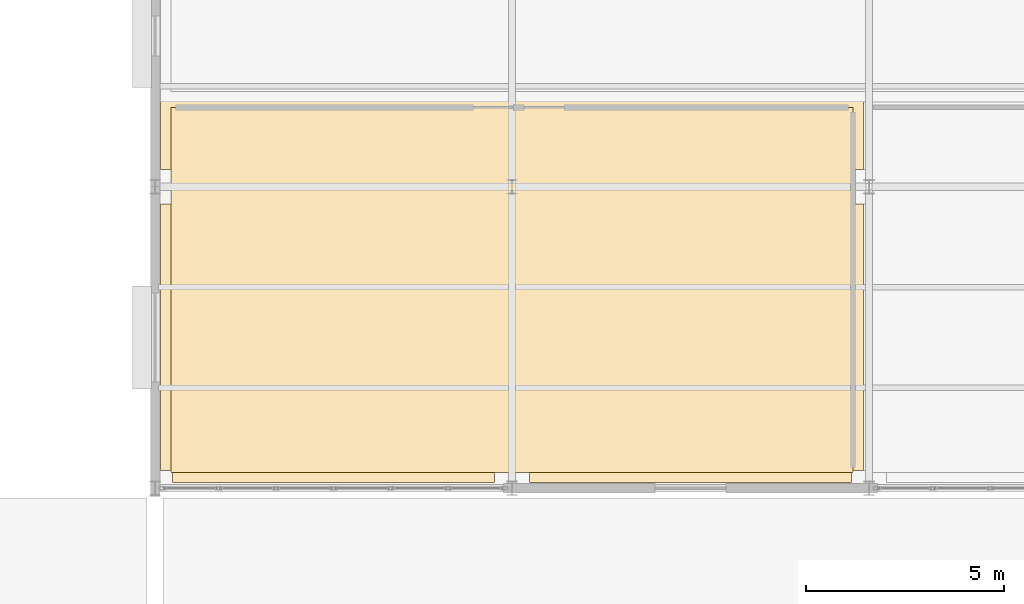
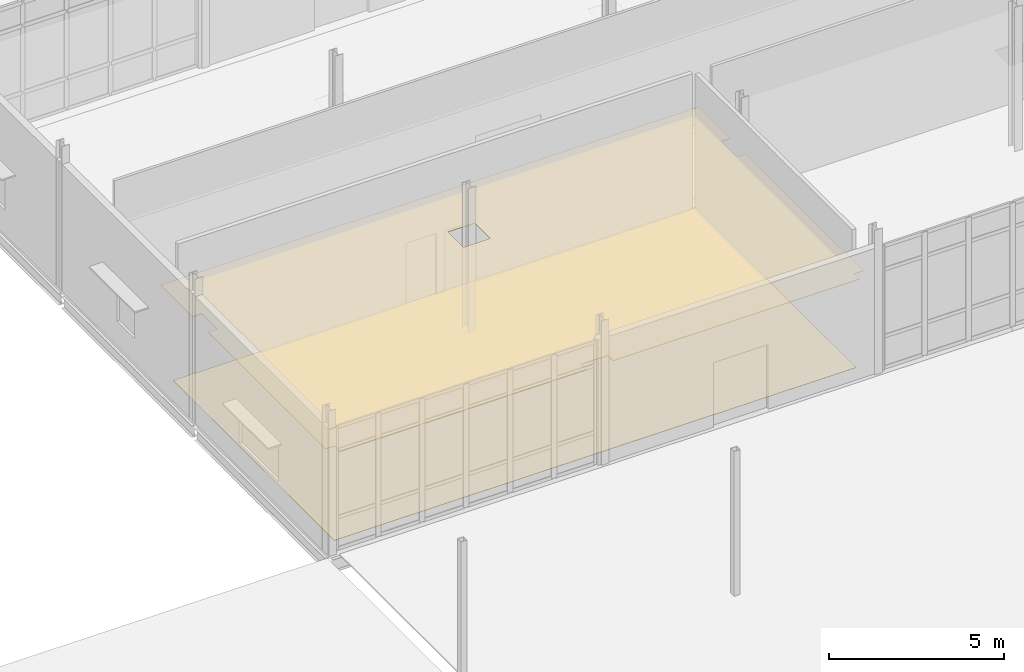
# One storey, part 156 of 161: 2 coverings.
"""IFC4 building model written with IfcOpenShell, lengths in metres."""

from ifc_helpers import new_model, si_unit, direction, frame, origin, place, context, subcontext, project, spatial, polyline, outline, extrude, material, layer, layer_set, type_object, element, save


model = new_model("IFC4")

# Units and contexts
model_context = context("Model", 3, precision=1e-05, world=origin(), true_north=direction((0.0, 1.0)))
body_context = subcontext(model_context, "Body", "Model", "MODEL_VIEW")
ifc_project = project(units=[si_unit("LENGTHUNIT", "METRE"), si_unit("AREAUNIT", "SQUARE_METRE"), si_unit("VOLUMEUNIT", "CUBIC_METRE"), si_unit("PLANEANGLEUNIT", "RADIAN"), si_unit("MASSUNIT", "GRAM", prefix="KILO")], contexts=[model_context])

# Site, building, storey
site_placement = place(None, origin())
site = spatial("IfcSite", under=ifc_project, at=site_placement, CompositionType="ELEMENT")
building_placement = place(site_placement, origin())
building = spatial("IfcBuilding", under=site, at=building_placement, Name="Caisbarro Railhouse Central Library", CompositionType="ELEMENT")
storey_placement = place(building_placement, origin())
storey = spatial("IfcBuildingStorey", under=building, at=storey_placement, Name="L00", CompositionType="ELEMENT", Elevation=0.0)

# Coverings
ifc_material_1 = material(Name="Perforated mineral-fibre acoustic ceiling tile")
ifc_layer_1 = layer(ifc_material_1, 0.01806640625, Name="Perforated mineral-fibre acoustic ceiling tile")
ifc_layer_set_1 = layer_set([ifc_layer_1], Name="Perforated mineral-fibre acoustic ceiling tile")
covering_type_1 = type_object("IfcCoveringType", Name="COV-CL01", PredefinedType="CEILING", material=ifc_layer_set_1)
covering_1_placement = place(storey_placement, frame((0.0, 0.0, 3.25)))
element("IfcCovering", 1, at=covering_1_placement, inside=storey, type_object=covering_type_1, Name="CL01 acoustic ceiling Street Cafe and Readers Bistro", PredefinedType="CEILING", context=body_context, shape_type="SweptSolid", body=[
    extrude(outline(polyline([(62.56005859375, 84.0400390625), (62.56005859375, 83.739990234375), (54.43994140625, 83.739990234375), (54.43994140625, 84.0400390625), (54.139892578125, 84.0400390625), (54.139892578125, 90.760009765625), (54.43994140625, 90.760009765625), (54.43994140625, 91.639892578125), (54.139892578125, 91.639892578125), (54.139892578125, 93.4599609375), (71.860107421875, 93.4599609375), (71.860107421875, 91.639892578125), (71.56005859375, 91.639892578125), (71.56005859375, 90.760009765625), (71.860107421875, 90.760009765625), (71.860107421875, 84.0400390625), (71.56005859375, 84.0400390625), (71.56005859375, 83.739990234375), (63.43994140625, 83.739990234375), (63.43994140625, 84.0400390625), (62.56005859375, 84.0400390625)]), holes=[polyline([(62.56005859375, 90.760009765625), (63.43994140625, 90.760009765625), (63.43994140625, 91.639892578125), (62.56005859375, 91.639892578125), (62.56005859375, 90.760009765625)])]), origin(), (0.0, 0.0, 1.0), 0.01806640625),
])
ifc_material_2 = material(Name="Heavy-duty acoustic linoleum flooring")
ifc_layer_2 = layer(ifc_material_2, 0.011962890625, Name="Heavy-duty acoustic linoleum flooring")
ifc_layer_set_2 = layer_set([ifc_layer_2], Name="Heavy-duty acoustic linoleum flooring")
covering_type_2 = type_object("IfcCoveringType", Name="COV-FL02", PredefinedType="FLOORING", material=ifc_layer_set_2)
covering_2_placement = place(storey_placement, origin())
element("IfcCovering", 2, at=covering_2_placement, inside=storey, type_object=covering_type_2, Name="FL02 flooring Street Cafe and Readers Bistro", PredefinedType="FLOORING", context=body_context, shape_type="SweptSolid", body=[
    extrude(outline(polyline([(54.39990234375, 84.0), (71.60009765625, 84.0), (71.60009765625, 93.199951171875), (54.39990234375, 93.199951171875), (54.39990234375, 84.0)])), origin(), (0.0, 0.0, 1.0), 0.011962890625),
])

save(model, "model.ifc")
